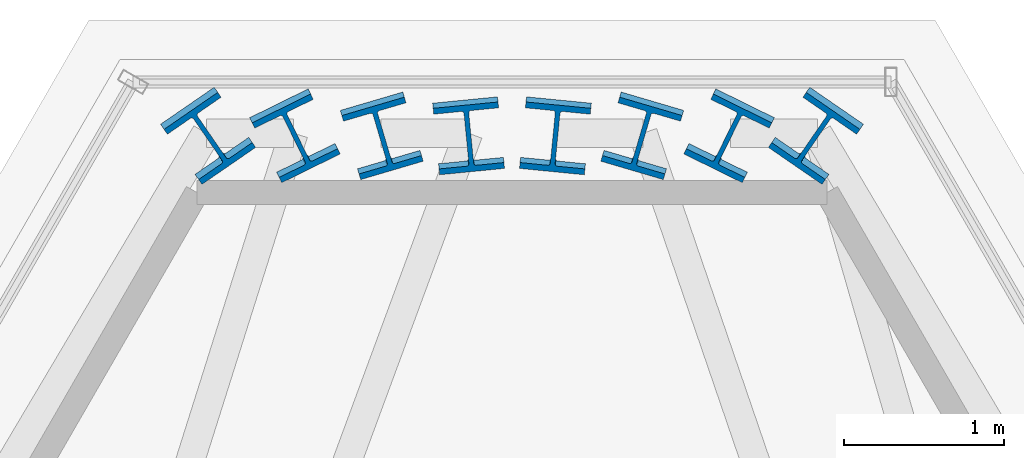
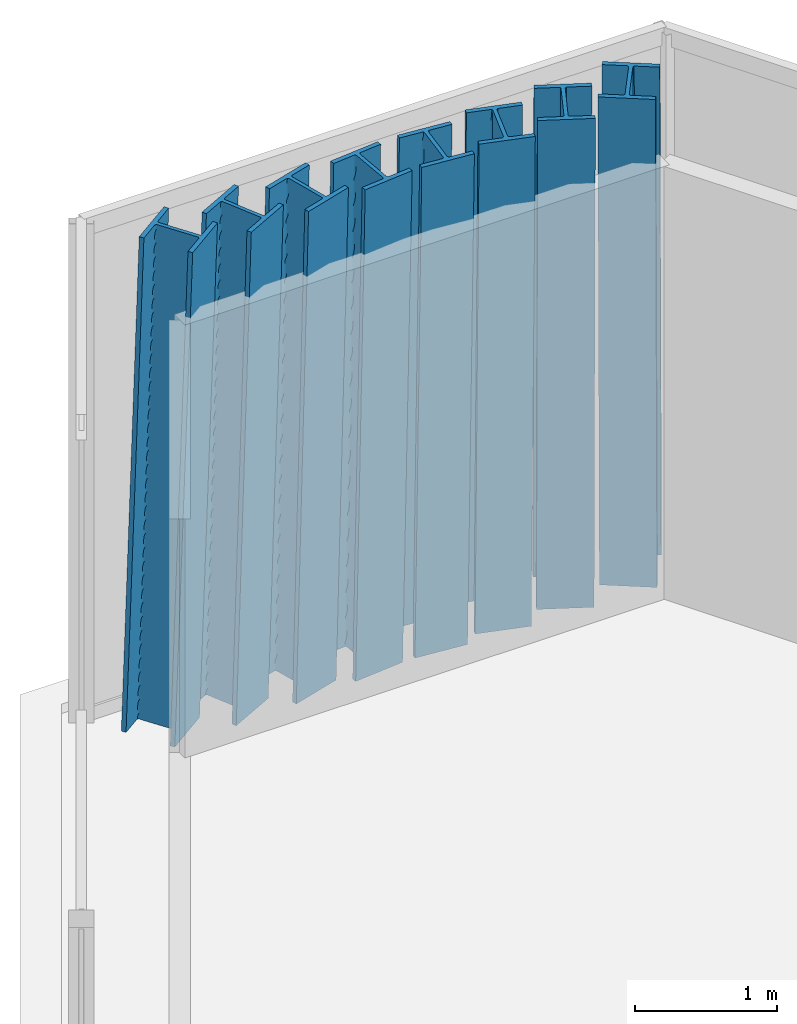
# One storey, part 2 of 32: 8 columns.
"""IFC4 building model written with IfcOpenShell, lengths in metres."""

from ifc_helpers import new_model, si_unit, direction, frame, origin, origin_2d, place, context, subcontext, project, spatial, i_section, extrude, material, material_profile, profile_set, type_object, element, save


model = new_model("IFC4")

# Units and contexts
model_context = context("Model", 3, precision=1e-05, world=origin(), true_north=direction((0.0, 1.0)))
body_context = subcontext(model_context, "Body", "Model", "MODEL_VIEW")
ifc_project = project(units=[si_unit("LENGTHUNIT", "METRE"), si_unit("AREAUNIT", "SQUARE_METRE"), si_unit("VOLUMEUNIT", "CUBIC_METRE"), si_unit("PLANEANGLEUNIT", "RADIAN"), si_unit("MASSUNIT", "GRAM", prefix="KILO")], contexts=[model_context])

# Site, building, storey
site_placement = place(None, origin())
site = spatial("IfcSite", under=ifc_project, at=site_placement, CompositionType="ELEMENT")
building_placement = place(site_placement, origin())
building = spatial("IfcBuilding", under=site, at=building_placement, Name="Ndaravel Arena Tower", CompositionType="ELEMENT")
storey_placement = place(building_placement, frame((0.0, 0.0, 278.800048828125)))
storey = spatial("IfcBuildingStorey", under=building, at=storey_placement, Name="L68", CompositionType="ELEMENT", Elevation=278.800048828125)

# Columns
ifc_material = material(Name="Steel S355", Category="steel")
ifc_material_profile = material_profile(ifc_material, i_section(OverallWidth=0.406005859375, OverallDepth=0.416015625, WebThickness=0.02978515625, FlangeThickness=0.03662109375, FilletRadius=0.014892578125, at=origin_2d()), Name="HD 400x382")
ifc_profile_set = profile_set([ifc_material_profile], Name="Steel S355")
column_type = type_object("IfcColumnType", Name="COL-TUBE-HD382", PredefinedType="COLUMN", material=ifc_profile_set)
column_1_placement = place(storey_placement, frame((43.905517578125, 43.59228515625, 0.0), z_axis=(-0.018414792406, -0.02673850662, 0.999472834891), x_axis=(0.823580517304, -0.567199375456, 0.0)))
element("IfcColumn", 1, at=column_1_placement, inside=storey, type_object=column_type, Name="L68 Framed Tube Column TC-11", PredefinedType="COLUMN", context=body_context, shape_type="SweptSolid", body=[
    extrude(i_section(OverallWidth=0.406005859375, OverallDepth=0.416015625, WebThickness=0.02978515625, FlangeThickness=0.03662109375, FilletRadius=0.014892578125, at=origin_2d()), origin(), (0.0, 0.0, 1.0), 4.2822265625),
])
column_2_placement = place(storey_placement, frame((43.361083984375, 43.59228515625, 0.0), z_axis=(-0.01317080322, -0.02674072169, 0.999555633142), x_axis=(0.89708903366, -0.441849822549, 0.0)))
element("IfcColumn", 2, at=column_2_placement, inside=storey, type_object=column_type, Name="L68 Framed Tube Column TC-12", PredefinedType="COLUMN", context=body_context, shape_type="SweptSolid", body=[
    extrude(i_section(OverallWidth=0.406005859375, OverallDepth=0.416015625, WebThickness=0.02978515625, FlangeThickness=0.03662109375, FilletRadius=0.014892578125, at=origin_2d()), origin(), (0.0, 0.0, 1.0), 4.281982421875),
])
column_3_placement = place(storey_placement, frame((42.816650390625, 43.59228515625, 0.0), z_axis=(-0.007868710984, -0.026742213417, 0.999611393197), x_axis=(0.959332923747, -0.282277064983, 0.0)))
element("IfcColumn", 3, at=column_3_placement, inside=storey, type_object=column_type, Name="L68 Framed Tube Column TC-13", PredefinedType="COLUMN", context=body_context, shape_type="SweptSolid", body=[
    extrude(i_section(OverallWidth=0.406005859375, OverallDepth=0.416015625, WebThickness=0.02978515625, FlangeThickness=0.03662109375, FilletRadius=0.014892578125, at=origin_2d()), origin(), (0.0, 0.0, 1.0), 4.28173828125),
])
for number, where, z_axis, x_axis, name in (
    (4, (42.272216796875, 43.59228515625, 0.0), (-0.002622975843, -0.026742949353, 0.999638902133), (0.995224483875, -0.097612635945, 0.0), "L68 Framed Tube Column TC-14"),
    (5, (41.727783203125, 43.59228515625, 0.0), (0.002622975843, -0.026742949353, 0.999638902133), (0.995224483875, 0.097612635945, 0.0), "L68 Framed Tube Column TC-15"),
):
    element("IfcColumn", number, at=place(storey_placement, frame(where, z_axis=z_axis, x_axis=x_axis)), inside=storey, type_object=column_type, Name=name, PredefinedType="COLUMN", context=body_context, shape_type="SweptSolid", body=[
        extrude(i_section(OverallWidth=0.406005859375, OverallDepth=0.416015625, WebThickness=0.02978515625, FlangeThickness=0.03662109375, FilletRadius=0.014892578125, at=origin_2d()), origin(), (0.0, 0.0, 1.0), 4.281494140625),
    ])
column_4_placement = place(storey_placement, frame((41.183349609375, 43.59228515625, 0.0), z_axis=(0.007868710984, -0.026742213417, 0.999611393197), x_axis=(0.959332923747, 0.282277064983, 0.0)))
element("IfcColumn", 6, at=column_4_placement, inside=storey, type_object=column_type, Name="L68 Framed Tube Column TC-16", PredefinedType="COLUMN", context=body_context, shape_type="SweptSolid", body=[
    extrude(i_section(OverallWidth=0.406005859375, OverallDepth=0.416015625, WebThickness=0.02978515625, FlangeThickness=0.03662109375, FilletRadius=0.014892578125, at=origin_2d()), origin(), (0.0, 0.0, 1.0), 4.28173828125),
])
column_5_placement = place(storey_placement, frame((40.638916015625, 43.59228515625, 0.0), z_axis=(0.01317080322, -0.02674072169, 0.999555633142), x_axis=(0.89708903366, 0.441849822549, 0.0)))
element("IfcColumn", 7, at=column_5_placement, inside=storey, type_object=column_type, Name="L68 Framed Tube Column TC-17", PredefinedType="COLUMN", context=body_context, shape_type="SweptSolid", body=[
    extrude(i_section(OverallWidth=0.406005859375, OverallDepth=0.416015625, WebThickness=0.02978515625, FlangeThickness=0.03662109375, FilletRadius=0.014892578125, at=origin_2d()), origin(), (0.0, 0.0, 1.0), 4.281982421875),
])
column_6_placement = place(storey_placement, frame((40.094482421875, 43.59228515625, 0.0), z_axis=(0.018414792406, -0.02673850662, 0.999472834891), x_axis=(0.823580517304, 0.567199375456, 0.0)))
element("IfcColumn", 8, at=column_6_placement, inside=storey, type_object=column_type, Name="L68 Framed Tube Column TC-18", PredefinedType="COLUMN", context=body_context, shape_type="SweptSolid", body=[
    extrude(i_section(OverallWidth=0.406005859375, OverallDepth=0.416015625, WebThickness=0.02978515625, FlangeThickness=0.03662109375, FilletRadius=0.014892578125, at=origin_2d()), origin(), (0.0, 0.0, 1.0), 4.2822265625),
])

save(model, "model.ifc")
